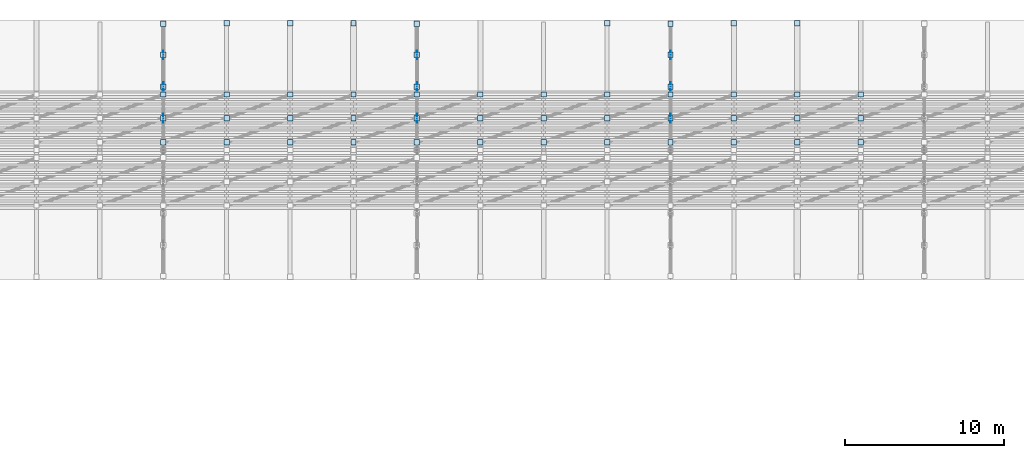
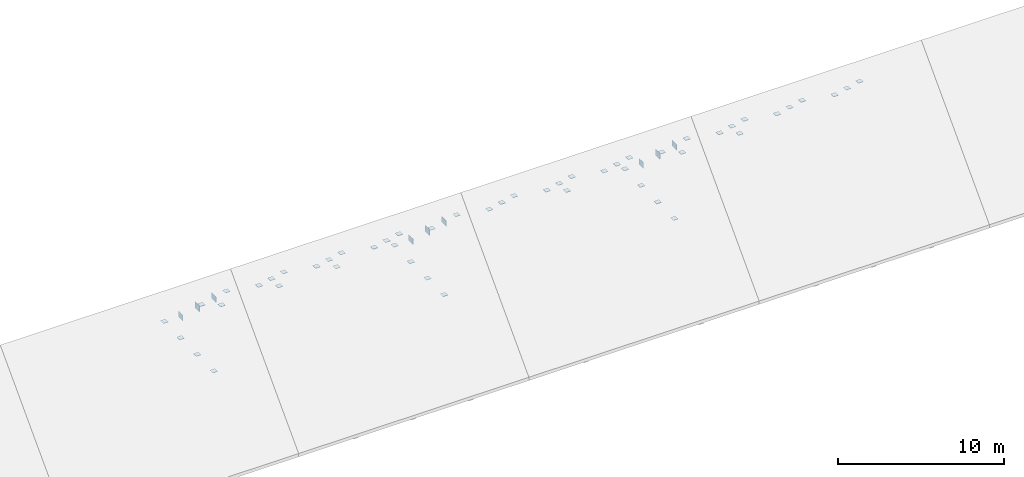
# One storey, part 16 of 18: 60 plates.
"""IFC4 building model written with IfcOpenShell, lengths in metres."""

import ifcopenshell
import ifcopenshell.guid

model = None  # the IFC model being written
_history = None  # IfcOwnerHistory: only IFC2X3 demands one
_inside = {}  # id of a spatial element -> (the spatial element, [elements in it])
_under = {}  # id of a project, library or spatial element -> (it, [spatial elements below it])
_declared = {}  # id of a project -> (the project, [libraries it declares])
_typed = {}  # id of a type object -> (the type object, [elements of that type])
_made_of = {}  # id of a material, layer set ... -> (it, [elements and type objects made of it])


def new_model(schema):
    """Start an empty IFC model of exactly this schema.

    Asked for "IFC4X3", IfcOpenShell would pick the latest addendum, in which some entities
    have other attributes; the version numbers below select the first issue.
    IFC2X3 requires an IfcOwnerHistory on every rooted entity: one is made here for all.
    """
    global model, _history
    if schema == "IFC4X3":
        model = ifcopenshell.file(schema_version=(4, 3, 0, 0))
    else:
        model = ifcopenshell.file(schema=schema)
    _inside.clear()
    _under.clear()
    _declared.clear()
    _typed.clear()
    _made_of.clear()
    _history = None
    if model.schema == "IFC2X3":
        org = make("IfcOrganization", Name="unknown")
        user = make(
            "IfcPersonAndOrganization",
            ThePerson=make("IfcPerson", FamilyName="unknown"),
            TheOrganization=org,
        )
        app = make(
            "IfcApplication",
            ApplicationDeveloper=org,
            Version="unknown",
            ApplicationFullName="unknown",
            ApplicationIdentifier="unknown",
        )
        _history = make(
            "IfcOwnerHistory",
            OwningUser=user,
            OwningApplication=app,
            ChangeAction="ADDED",
            CreationDate=0,
        )
    return model


def make(cls, **values):
    """One entity of the class cls with the attributes given. An attribute that is None is left unset."""
    return model.create_entity(
        cls, **{name: value for name, value in values.items() if value is not None}
    )


def rooted(cls, **values):
    """An entity with a GlobalId (a new one), such as an element, a storey or a relation."""
    return make(cls, GlobalId=ifcopenshell.guid.new(), OwnerHistory=_history, **values)


def si_unit(unit_type, name, prefix=None):
    """IfcSIUnit, for example si_unit("LENGTHUNIT", "METRE", prefix="MILLI")."""
    return make("IfcSIUnit", UnitType=unit_type, Prefix=prefix, Name=name)


def assignment(units):
    """IfcUnitAssignment: the units of a project."""
    return None if units is None else make("IfcUnitAssignment", Units=units)


def point(xyz):
    """IfcCartesianPoint."""
    return None if xyz is None else make("IfcCartesianPoint", Coordinates=xyz)


def direction(xyz):
    """IfcDirection."""
    return None if xyz is None else make("IfcDirection", DirectionRatios=xyz)


def frame(location, z_axis=None, x_axis=None):
    """IfcAxis2Placement3D, a coordinate frame: its origin and axes. An axis left out is left unset."""
    return make(
        "IfcAxis2Placement3D",
        Location=point(location),
        Axis=direction(z_axis),
        RefDirection=direction(x_axis),
    )


def frame_2d(location, x_axis=None):
    """IfcAxis2Placement2D, a coordinate frame in the plane: its origin and x axis."""
    return make(
        "IfcAxis2Placement2D", Location=point(location), RefDirection=direction(x_axis)
    )


def origin():
    """The frame at (0, 0, 0) with its axes left unset."""
    return frame((0.0, 0.0, 0.0))


def origin_2d():
    """The frame at (0, 0) in the plane with its x axis left unset."""
    return frame_2d((0.0, 0.0))


def place(relative_to, where):
    """IfcLocalPlacement: puts the frame where relative to a parent placement (None: the world)."""
    return make(
        "IfcLocalPlacement", PlacementRelTo=relative_to, RelativePlacement=where
    )


def context(
    kind, dimensions, precision=None, world=None, true_north=None, identifier=None
):
    """IfcGeometricRepresentationContext, for example the 3D "Model" context."""
    return make(
        "IfcGeometricRepresentationContext",
        ContextIdentifier=identifier,
        ContextType=kind,
        CoordinateSpaceDimension=dimensions,
        Precision=precision,
        WorldCoordinateSystem=world,
        TrueNorth=true_north,
    )


def subcontext(parent, identifier, kind, view, scale=None):
    """IfcGeometricRepresentationSubContext, for example "Body" below "Model"."""
    return make(
        "IfcGeometricRepresentationSubContext",
        ContextIdentifier=identifier,
        ContextType=kind,
        ParentContext=parent,
        TargetScale=scale,
        TargetView=view,
    )


def project(units=None, contexts=None):
    """IfcProject with its units and contexts."""
    return rooted(
        "IfcProject",
        Name="project",
        RepresentationContexts=contexts,
        UnitsInContext=assignment(units),
    )


def spatial(cls, under=None, at=None, **own):
    """A site, building, storey or space (cls), placed at a placement, below another one or the project."""
    s = rooted(cls, ObjectPlacement=at, **own)
    if under is not None:
        _under.setdefault(under.id(), (under, []))[1].append(s)
    return s


def profile(cls, at=None, kind="AREA", **sizes):
    """A parametric profile (cls). Its sizes go by their IFC names, for example OverallWidth=200.0."""
    return make(cls, ProfileType=kind, Position=at, **sizes)


def rectangle(**sizes):
    """IfcRectangleProfileDef."""
    return profile("IfcRectangleProfileDef", **sizes)


def extrude(swept, where, along, depth):
    """IfcExtrudedAreaSolid: the profile swept, set in the frame where, extruded along a direction by depth."""
    return make(
        "IfcExtrudedAreaSolid",
        SweptArea=swept,
        Position=where,
        ExtrudedDirection=direction(along),
        Depth=depth,
    )


def shape(context_of_items, identifier, shape_type, items):
    """IfcShapeRepresentation: the items that make up one representation, for example the "Body"."""
    return make(
        "IfcShapeRepresentation",
        ContextOfItems=context_of_items,
        RepresentationIdentifier=identifier,
        RepresentationType=shape_type,
        Items=items,
    )


def material(Name=None, Category=None):
    """IfcMaterial."""
    return make("IfcMaterial", Name=Name, Category=Category)


def layer(
    of_material, thickness, ventilated=None, Name=None, Category=None, Priority=None
):
    """IfcMaterialLayer: one layer of a wall or slab, of a material (None: an air gap)."""
    return make(
        "IfcMaterialLayer",
        Material=of_material,
        LayerThickness=thickness,
        IsVentilated=ventilated,
        Name=Name,
        Category=Category,
        Priority=Priority,
    )


def layer_set(layers, Name=None):
    """IfcMaterialLayerSet."""
    return make("IfcMaterialLayerSet", MaterialLayers=layers, LayerSetName=Name)


def made_of(thing, what):
    """Note that an element or type object is made of a material, layer set ...; save() writes the relation."""
    if what is not None:
        _made_of.setdefault(what.id(), (what, []))[1].append(thing)
    return thing


def type_object(cls, material=None, **own):
    """A type object (cls), such as IfcWallType, which elements share."""
    return made_of(rooted(cls, **own), material)


def element(
    cls,
    number,
    at=None,
    inside=None,
    cuts=None,
    type_object=None,
    material=None,
    context=None,
    identifier="Body",
    shape_type=None,
    held_by="IfcProductDefinitionShape",
    body=None,
    shapes=None,
    **own,
):
    """One element of the class cls, such as IfcWall. Its Tag is "e" and its number.

    at: its placement. inside: the storey or other place that contains it. cuts: it is an
    opening in that element (IfcRelVoidsElement). A single representation is given by context,
    identifier, shape_type and body (its items); several are given by shapes. held_by: the class
    of the entity that holds the representations. save() writes the other relations.
    """
    e = rooted(cls, Tag="e%d" % number, ObjectPlacement=at, **own)
    if body is not None:
        shapes = [shape(context, identifier, shape_type, body)]
    if shapes is not None:
        e.Representation = make(held_by, Representations=shapes)
    if inside is not None:
        _inside.setdefault(inside.id(), (inside, []))[1].append(e)
    if cuts is not None:
        rooted(
            "IfcRelVoidsElement", RelatingBuildingElement=cuts, RelatedOpeningElement=e
        )
    if type_object is not None:
        _typed.setdefault(type_object.id(), (type_object, []))[1].append(e)
    return made_of(e, material)


def aggregate(whole, parts):
    """IfcRelAggregates: a whole, such as a stair, and the parts it consists of."""
    return rooted("IfcRelAggregates", RelatingObject=whole, RelatedObjects=parts)


def save(model, path):
    """Write the relations noted so far, then the file.

    IfcRelAggregates (storeys below a building ...), IfcRelContainedInSpatialStructure (elements
    in a storey), IfcRelDefinesByType, IfcRelAssociatesMaterial and IfcRelDeclares: one each for
    every whole, place, type object, material and project.
    """
    for whole, parts in _under.values():
        aggregate(whole, parts)
    for where, things in _inside.values():
        rooted(
            "IfcRelContainedInSpatialStructure",
            RelatedElements=things,
            RelatingStructure=where,
        )
    for kind, things in _typed.values():
        rooted("IfcRelDefinesByType", RelatedObjects=things, RelatingType=kind)
    for what, things in _made_of.values():
        rooted("IfcRelAssociatesMaterial", RelatedObjects=things, RelatingMaterial=what)
    for by, libraries in _declared.values():
        rooted("IfcRelDeclares", RelatingContext=by, RelatedDefinitions=libraries)
    model.write(path)


model = new_model("IFC4")

# Units and contexts
model_context = context("Model", 3, precision=1e-05, world=origin(), true_north=direction((0.0, 1.0)))
body_context = subcontext(model_context, "Body", "Model", "MODEL_VIEW")
ifc_project = project(units=[si_unit("LENGTHUNIT", "METRE"), si_unit("AREAUNIT", "SQUARE_METRE"), si_unit("VOLUMEUNIT", "CUBIC_METRE"), si_unit("PLANEANGLEUNIT", "RADIAN"), si_unit("MASSUNIT", "GRAM", prefix="KILO")], contexts=[model_context])

# Site, building, storey
site_placement = place(None, origin())
site = spatial("IfcSite", under=ifc_project, at=site_placement, CompositionType="ELEMENT")
building_placement = place(site_placement, origin())
building = spatial("IfcBuilding", under=site, at=building_placement, Name="Serraluz Foothill Cableway Terminal", CompositionType="ELEMENT")
storey_placement = place(building_placement, frame((0.0, 0.0, 24.300048828125)))
storey = spatial("IfcBuildingStorey", under=building, at=storey_placement, Name="RF", CompositionType="ELEMENT", Elevation=24.300048828125)

# Plates
ifc_material = material(Name="Steel ASTM A572 Grade 50", Category="steel")
ifc_layer_1 = layer(ifc_material, 0.02001953125, Name="Steel ASTM A572 Grade 50", Category="steel")
ifc_layer_set_1 = layer_set([ifc_layer_1], Name="Steel ASTM A572 Grade 50")
plate_type_1 = type_object("IfcPlateType", Name="TYP-PL-GUS-20", PredefinedType="USERDEFINED", material=ifc_layer_set_1)
for number, where, z_axis, x_axis, name in (
    (1, (72.0, 70.0, -3.195068359375), (0.0, 0.0, 1.0), (1.0, 0.0, 0.0), "Truss Node Gusset Plate PL-GP-0021"),
    (2, (88.0, 70.0, -3.195068359375), (0.0, 0.0, 1.0), (1.0, 0.0, 0.0), "Truss Node Gusset Plate PL-GP-0028"),
    (3, (104.0, 70.0, -3.195068359375), (0.0, 0.0, 1.0), (1.0, 0.0, 0.0), "Truss Node Gusset Plate PL-GP-0035"),
):
    element("IfcPlate", number, at=place(storey_placement, frame(where, z_axis=z_axis, x_axis=x_axis)), inside=storey, type_object=plate_type_1, Name=name, ObjectType="GUSSET_PLATE", PredefinedType="USERDEFINED", context=body_context, shape_type="SweptSolid", body=[
        extrude(rectangle(XDim=0.02001953125, YDim=0.5400390625, at=origin_2d()), origin(), (0.0, 0.0, 1.0), 0.419921875),
    ])
for number, where, z_axis, x_axis, name in (
    (4, (72.0, 66.0, -4.6201171875), (0.0, 0.0, 1.0), (1.0, 0.0, 0.0), "Brace End Gusset Plate PL-END-0027"),
    (5, (88.0, 68.0, -4.6201171875), (0.0, 0.0, 1.0), (1.0, 0.0, 0.0), "Brace End Gusset Plate PL-END-0039"),
    (6, (88.0, 71.95263671875, -4.593017578125), (0.0, 0.0, 1.0), (1.0, 0.0, 0.0), "Brace End Gusset Plate PL-END-0042"),
    (7, (104.0, 70.0, -4.6201171875), (0.0, 0.0, 1.0), (1.0, 0.0, 0.0), "Brace End Gusset Plate PL-END-0051"),
    (8, (76.0, 72.0, -4.81005859375), (0.0, 0.0, 1.0), (1.0, 0.0, 0.0), "Brace End Gusset Plate PL-END-0102"),
    (9, (80.0, 72.0, -4.81005859375), (0.0, 0.0, 1.0), (1.0, 0.0, 0.0), "Brace End Gusset Plate PL-END-0105"),
    (10, (84.0, 72.0, -4.81005859375), (0.0, 0.0, 1.0), (1.0, 0.0, 0.0), "Brace End Gusset Plate PL-END-0108"),
    (11, (72.0, 64.5, 2.1611328125), (0.0, 0.0, 1.0), (1.0, 0.0, 0.0), "Brace End Gusset Plate PL-END-0180"),
    (12, (76.0, 64.5, 2.1611328125), (0.0, 0.0, 1.0), (1.0, 0.0, 0.0), "Brace End Gusset Plate PL-END-0186"),
    (13, (80.0, 64.5, 2.1611328125), (0.0, 0.0, 1.0), (1.0, 0.0, 0.0), "Brace End Gusset Plate PL-END-0192"),
    (14, (88.0, 67.5, -0.6513671875), (0.0, 0.0, 1.0), (1.0, 0.0, 0.0), "Brace End Gusset Plate PL-END-0198"),
    (15, (92.0, 67.5, -0.6513671875), (0.0, 0.0, 1.0), (1.0, 0.0, 0.0), "Brace End Gusset Plate PL-END-0204"),
    (16, (96.0, 67.5, -0.6513671875), (0.0, 0.0, 1.0), (1.0, 0.0, 0.0), "Brace End Gusset Plate PL-END-0210"),
    (17, (100.0, 67.5, -0.6513671875), (0.0, 0.0, 1.0), (1.0, 0.0, 0.0), "Brace End Gusset Plate PL-END-0216"),
    (18, (100.0, 64.5, 2.1611328125), (0.0, 0.0, 1.0), (1.0, 0.0, 0.0), "Brace End Gusset Plate PL-END-0219"),
    (19, (108.0, 66.0, 0.7548828125), (0.0, 0.0, 1.0), (1.0, 0.0, 0.0), "Brace End Gusset Plate PL-END-0225"),
    (20, (112.0, 66.0, 0.7548828125), (0.0, 0.0, 1.0), (1.0, 0.0, 0.0), "Brace End Gusset Plate PL-END-0231"),
    (21, (116.0, 66.0, 0.7548828125), (0.0, 0.0, 1.0), (1.0, 0.0, 0.0), "Brace End Gusset Plate PL-END-0237"),
):
    element("IfcPlate", number, at=place(storey_placement, frame(where, z_axis=z_axis, x_axis=x_axis)), inside=storey, type_object=plate_type_1, Name=name, ObjectType="GUSSET_PLATE", PredefinedType="USERDEFINED", context=body_context, shape_type="SweptSolid", body=[
        extrude(rectangle(XDim=0.340087890625, YDim=0.340087890625, at=origin_2d()), origin(), (0.0, 0.0, 1.0), 0.02001953125),
    ])
ifc_layer_2 = layer(ifc_material, 0.02392578125, Name="Steel ASTM A572 Grade 50", Category="steel")
ifc_layer_set_2 = layer_set([ifc_layer_2], Name="Steel ASTM A572 Grade 50")
plate_type_2 = type_object("IfcPlateType", Name="TYP-PL-GUS-24", PredefinedType="USERDEFINED", material=ifc_layer_set_2)
for number, where, z_axis, x_axis, name in (
    (22, (72.0, 66.0, 0.554931640625), (0.0, 0.0, 1.0), (1.0, 0.0, 0.0), "Truss Node Gusset Plate PL-GP-0019"),
    (23, (88.0, 66.0, 0.554931640625), (0.0, 0.0, 1.0), (1.0, 0.0, 0.0), "Truss Node Gusset Plate PL-GP-0026"),
    (24, (104.0, 66.0, 0.554931640625), (0.0, 0.0, 1.0), (1.0, 0.0, 0.0), "Truss Node Gusset Plate PL-GP-0033"),
):
    element("IfcPlate", number, at=place(storey_placement, frame(where, z_axis=z_axis, x_axis=x_axis)), inside=storey, type_object=plate_type_2, Name=name, ObjectType="GUSSET_PLATE", PredefinedType="USERDEFINED", context=body_context, shape_type="SweptSolid", body=[
        extrude(rectangle(XDim=0.02392578125, YDim=0.5400390625, at=origin_2d()), origin(), (0.0, 0.0, 1.0), 0.419921875),
    ])
for number, where, z_axis, x_axis, name in (
    (25, (72.0, 68.0, -4.6220703125), (0.0, 0.0, 1.0), (1.0, 0.0, 0.0), "Brace End Gusset Plate PL-END-0028"),
    (26, (72.0, 71.95263671875, -4.594970703125), (0.0, 0.0, 1.0), (1.0, 0.0, 0.0), "Brace End Gusset Plate PL-END-0031"),
    (27, (88.0, 70.0, -4.6220703125), (0.0, 0.0, 1.0), (1.0, 0.0, 0.0), "Brace End Gusset Plate PL-END-0040"),
    (28, (104.0, 66.0, -4.6220703125), (0.0, 0.0, 1.0), (1.0, 0.0, 0.0), "Brace End Gusset Plate PL-END-0049"),
    (29, (76.0, 66.0, 0.7529296875), (0.0, 0.0, 1.0), (1.0, 0.0, 0.0), "Brace End Gusset Plate PL-END-0181"),
    (30, (80.0, 66.0, 0.7529296875), (0.0, 0.0, 1.0), (1.0, 0.0, 0.0), "Brace End Gusset Plate PL-END-0187"),
    (31, (84.0, 66.0, 0.7529296875), (0.0, 0.0, 1.0), (1.0, 0.0, 0.0), "Brace End Gusset Plate PL-END-0193"),
    (32, (88.0, 64.5, 2.1591796875), (0.0, 0.0, 1.0), (1.0, 0.0, 0.0), "Brace End Gusset Plate PL-END-0202"),
    (33, (92.0, 64.5, 2.1591796875), (0.0, 0.0, 1.0), (1.0, 0.0, 0.0), "Brace End Gusset Plate PL-END-0208"),
    (34, (96.0, 64.5, 2.1591796875), (0.0, 0.0, 1.0), (1.0, 0.0, 0.0), "Brace End Gusset Plate PL-END-0214"),
    (35, (104.0, 67.5, -0.6533203125), (0.0, 0.0, 1.0), (1.0, 0.0, 0.0), "Brace End Gusset Plate PL-END-0220"),
    (36, (108.0, 67.5, -0.6533203125), (0.0, 0.0, 1.0), (1.0, 0.0, 0.0), "Brace End Gusset Plate PL-END-0226"),
    (37, (112.0, 67.5, -0.6533203125), (0.0, 0.0, 1.0), (1.0, 0.0, 0.0), "Brace End Gusset Plate PL-END-0232"),
    (38, (116.0, 67.5, -0.6533203125), (0.0, 0.0, 1.0), (1.0, 0.0, 0.0), "Brace End Gusset Plate PL-END-0238"),
    (39, (116.0, 64.5, 2.1591796875), (0.0, 0.0, 1.0), (1.0, 0.0, 0.0), "Brace End Gusset Plate PL-END-0241"),
):
    element("IfcPlate", number, at=place(storey_placement, frame(where, z_axis=z_axis, x_axis=x_axis)), inside=storey, type_object=plate_type_2, Name=name, ObjectType="GUSSET_PLATE", PredefinedType="USERDEFINED", context=body_context, shape_type="SweptSolid", body=[
        extrude(rectangle(XDim=0.340087890625, YDim=0.340087890625, at=origin_2d()), origin(), (0.0, 0.0, 1.0), 0.02392578125),
    ])
ifc_layer_3 = layer(ifc_material, 0.030029296875, Name="Steel ASTM A572 Grade 50", Category="steel")
ifc_layer_set_3 = layer_set([ifc_layer_3], Name="Steel ASTM A572 Grade 50")
plate_type_3 = type_object("IfcPlateType", Name="TYP-PL-GUS-30", PredefinedType="USERDEFINED", material=ifc_layer_set_3)
for number, where, z_axis, x_axis, name in (
    (40, (72.0, 70.0, -4.625), (0.0, 0.0, 1.0), (1.0, 0.0, 0.0), "Brace End Gusset Plate PL-END-0029"),
    (41, (88.0, 66.0, -4.625), (0.0, 0.0, 1.0), (1.0, 0.0, 0.0), "Brace End Gusset Plate PL-END-0038"),
    (42, (104.0, 68.0, -4.625), (0.0, 0.0, 1.0), (1.0, 0.0, 0.0), "Brace End Gusset Plate PL-END-0050"),
    (43, (104.0, 71.95263671875, -4.59814453125), (0.0, 0.0, 1.0), (1.0, 0.0, 0.0), "Brace End Gusset Plate PL-END-0053"),
    (44, (100.0, 72.0, -4.81494140625), (0.0, 0.0, 1.0), (1.0, 0.0, 0.0), "Brace End Gusset Plate PL-END-0113"),
    (45, (108.0, 72.0, -4.81494140625), (0.0, 0.0, 1.0), (1.0, 0.0, 0.0), "Brace End Gusset Plate PL-END-0116"),
    (46, (112.0, 72.0, -4.81494140625), (0.0, 0.0, 1.0), (1.0, 0.0, 0.0), "Brace End Gusset Plate PL-END-0119"),
    (47, (72.0, 67.5, -0.65625), (0.0, 0.0, 1.0), (1.0, 0.0, 0.0), "Brace End Gusset Plate PL-END-0176"),
    (48, (76.0, 67.5, -0.65625), (0.0, 0.0, 1.0), (1.0, 0.0, 0.0), "Brace End Gusset Plate PL-END-0182"),
    (49, (80.0, 67.5, -0.65625), (0.0, 0.0, 1.0), (1.0, 0.0, 0.0), "Brace End Gusset Plate PL-END-0188"),
    (50, (84.0, 67.5, -0.65625), (0.0, 0.0, 1.0), (1.0, 0.0, 0.0), "Brace End Gusset Plate PL-END-0194"),
    (51, (84.0, 64.5, 2.15625), (0.0, 0.0, 1.0), (1.0, 0.0, 0.0), "Brace End Gusset Plate PL-END-0197"),
    (52, (92.0, 66.0, 0.75), (0.0, 0.0, 1.0), (1.0, 0.0, 0.0), "Brace End Gusset Plate PL-END-0203"),
    (53, (96.0, 66.0, 0.75), (0.0, 0.0, 1.0), (1.0, 0.0, 0.0), "Brace End Gusset Plate PL-END-0209"),
    (54, (100.0, 66.0, 0.75), (0.0, 0.0, 1.0), (1.0, 0.0, 0.0), "Brace End Gusset Plate PL-END-0215"),
    (55, (104.0, 64.5, 2.15625), (0.0, 0.0, 1.0), (1.0, 0.0, 0.0), "Brace End Gusset Plate PL-END-0224"),
    (56, (108.0, 64.5, 2.15625), (0.0, 0.0, 1.0), (1.0, 0.0, 0.0), "Brace End Gusset Plate PL-END-0230"),
    (57, (112.0, 64.5, 2.15625), (0.0, 0.0, 1.0), (1.0, 0.0, 0.0), "Brace End Gusset Plate PL-END-0236"),
):
    element("IfcPlate", number, at=place(storey_placement, frame(where, z_axis=z_axis, x_axis=x_axis)), inside=storey, type_object=plate_type_3, Name=name, ObjectType="GUSSET_PLATE", PredefinedType="USERDEFINED", context=body_context, shape_type="SweptSolid", body=[
        extrude(rectangle(XDim=0.340087890625, YDim=0.340087890625, at=origin_2d()), origin(), (0.0, 0.0, 1.0), 0.030029296875),
    ])
ifc_layer_4 = layer(ifc_material, 0.035888671875, Name="Steel ASTM A572 Grade 50", Category="steel")
ifc_layer_set_4 = layer_set([ifc_layer_4], Name="Steel ASTM A572 Grade 50")
plate_type_4 = type_object("IfcPlateType", Name="TYP-PL-GUS-36", PredefinedType="USERDEFINED", material=ifc_layer_set_4)
for number, where, z_axis, x_axis, name in (
    (58, (72.0, 68.0, -1.320068359375), (0.0, 0.0, 1.0), (1.0, 0.0, 0.0), "Truss Node Gusset Plate PL-GP-0020"),
    (59, (88.0, 68.0, -1.320068359375), (0.0, 0.0, 1.0), (1.0, 0.0, 0.0), "Truss Node Gusset Plate PL-GP-0027"),
    (60, (104.0, 68.0, -1.320068359375), (0.0, 0.0, 1.0), (1.0, 0.0, 0.0), "Truss Node Gusset Plate PL-GP-0034"),
):
    element("IfcPlate", number, at=place(storey_placement, frame(where, z_axis=z_axis, x_axis=x_axis)), inside=storey, type_object=plate_type_4, Name=name, ObjectType="GUSSET_PLATE", PredefinedType="USERDEFINED", context=body_context, shape_type="SweptSolid", body=[
        extrude(rectangle(XDim=0.035888671875, YDim=0.5400390625, at=origin_2d()), origin(), (0.0, 0.0, 1.0), 0.419921875),
    ])

save(model, "model.ifc")
